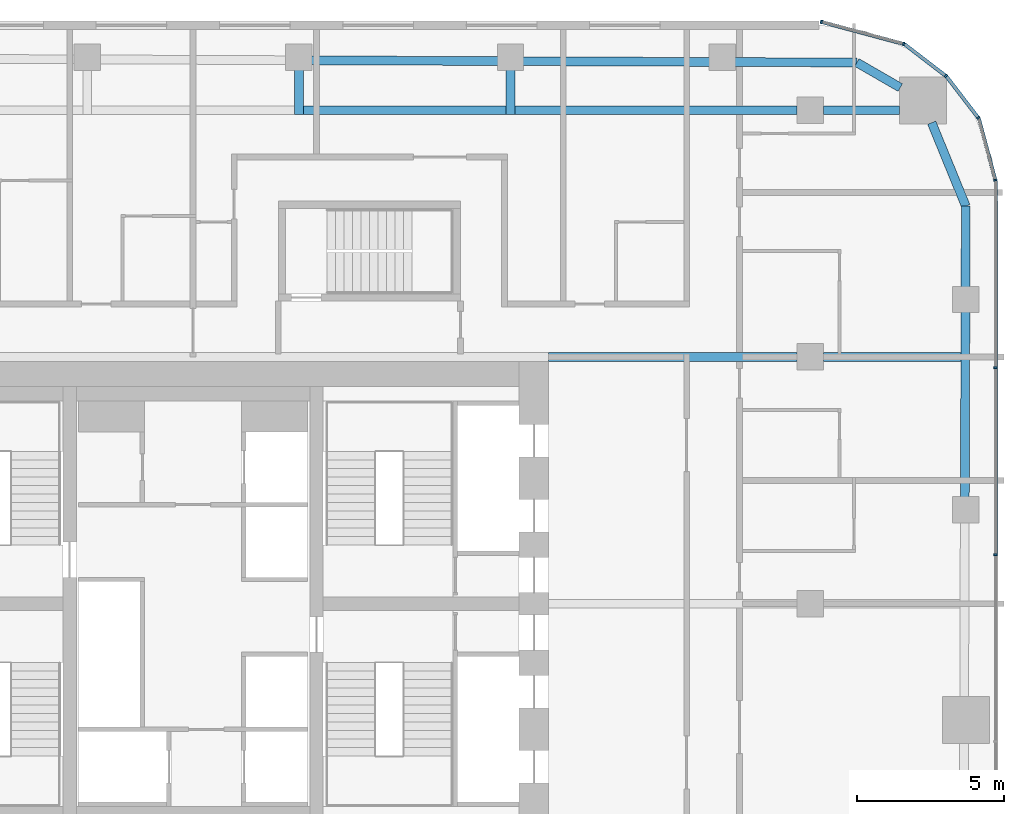
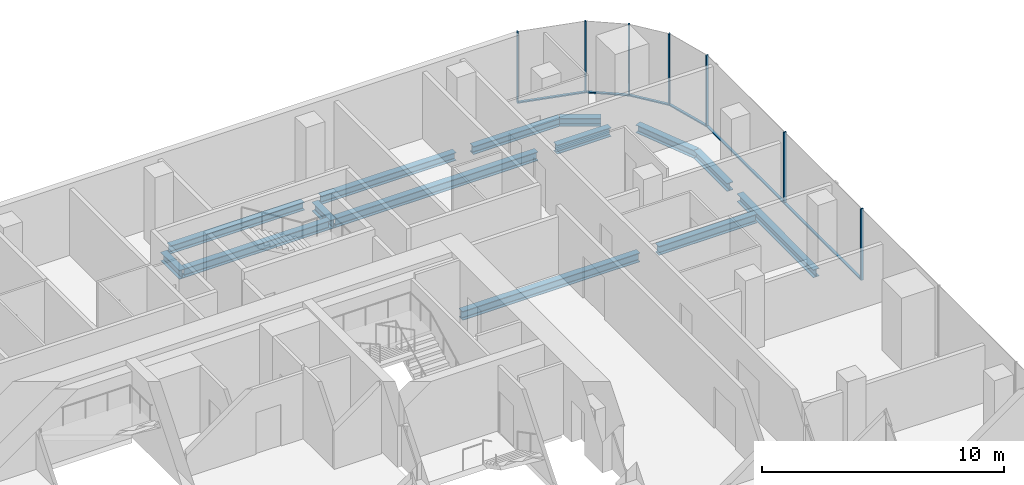
# One storey, part 11 of 23: 14 beams, 13 members, 5 elements without a shape of their own.
"""IFC4 building model written with IfcOpenShell, lengths in metres."""

from ifc_helpers import new_model, si_unit, direction, frame, origin, origin_2d, place, context, subcontext, project, spatial, rectangle, i_section, extrude, material, layer, layer_set, material_profile, profile_set, type_object, element, aggregate, save


model = new_model("IFC4")

# Units and contexts
model_context = context("Model", 3, precision=1e-05, world=origin(), true_north=direction((0.0, 1.0)))
body_context = subcontext(model_context, "Body", "Model", "MODEL_VIEW")
ifc_project = project(units=[si_unit("LENGTHUNIT", "METRE"), si_unit("AREAUNIT", "SQUARE_METRE"), si_unit("VOLUMEUNIT", "CUBIC_METRE"), si_unit("PLANEANGLEUNIT", "RADIAN"), si_unit("MASSUNIT", "GRAM", prefix="KILO")], contexts=[model_context])

# Site, building, storey
site_placement = place(None, origin())
site = spatial("IfcSite", under=ifc_project, at=site_placement, CompositionType="ELEMENT")
building_placement = place(site_placement, origin())
building = spatial("IfcBuilding", under=site, at=building_placement, Name="Marenta Gate Hotel Tower", CompositionType="ELEMENT")
storey_placement = place(building_placement, frame((0.0, 0.0, 112.10009765625)))
storey = spatial("IfcBuildingStorey", under=building, at=storey_placement, Name="L24", CompositionType="ELEMENT", Elevation=112.10009765625)

# Beams
ifc_material_1 = material(Name="Steel S355", Category="steel")
ifc_material_profile_1 = material_profile(ifc_material_1, i_section(OverallWidth=0.300048828125, OverallDepth=0.39990234375, WebThickness=0.013427734375, FlangeThickness=0.02392578125, FilletRadius=0.027099609375, at=origin_2d()), Name="HEB 400")
ifc_profile_set_1 = profile_set([ifc_material_profile_1], Name="Steel S355")
beam_type_1 = type_object("IfcBeamType", Name="Edge beam HEB 400", PredefinedType="SPANDREL", material=ifc_profile_set_1)
beam_1_placement = place(storey_placement, frame((4.011474609375, 26.89697265625, -0.460205078125), z_axis=(0.999991780119, -0.004054589324, 0.0), x_axis=(0.004054589324, 0.999991780119, 0.0)))
element("IfcBeam", 1, at=beam_1_placement, inside=storey, type_object=beam_type_1, Name="L24-EB-17", PredefinedType="SPANDREL", context=body_context, shape_type="SweptSolid", body=[
    extrude(i_section(OverallWidth=0.300048828125, OverallDepth=0.39990234375, WebThickness=0.013427734375, FlangeThickness=0.02392578125, FilletRadius=0.027099609375, at=origin_2d()), origin(), (0.0, 0.0, 1.0), 6.382568359375),
])
beam_2_placement = place(storey_placement, frame((11.214111328125, 26.86767578125, -0.460205078125), z_axis=(0.999991780748, -0.00405443424, 0.0), x_axis=(0.00405443424, 0.999991780748, 0.0)))
element("IfcBeam", 2, at=beam_2_placement, inside=storey, type_object=beam_type_1, Name="L24-EB-18", PredefinedType="SPANDREL", context=body_context, shape_type="SweptSolid", body=[
    extrude(i_section(OverallWidth=0.300048828125, OverallDepth=0.39990234375, WebThickness=0.013427734375, FlangeThickness=0.02392578125, FilletRadius=0.027099609375, at=origin_2d()), origin(), (0.0, 0.0, 1.0), 6.3828125),
])
beam_3_placement = place(storey_placement, frame((18.4169921875, 26.83837890625, -0.460205078125), z_axis=(0.999991621459, -0.004093532953, 0.0), x_axis=(0.004093532953, 0.999991621459, 0.0)))
element("IfcBeam", 3, at=beam_3_placement, inside=storey, type_object=beam_type_1, Name="L24-EB-19", PredefinedType="SPANDREL", context=body_context, shape_type="SweptSolid", body=[
    extrude(i_section(OverallWidth=0.300048828125, OverallDepth=0.39990234375, WebThickness=0.013427734375, FlangeThickness=0.02392578125, FilletRadius=0.027099609375, at=origin_2d()), origin(), (0.0, 0.0, 1.0), 4.1748046875),
])
beam_4_placement = place(storey_placement, frame((22.591796875, 26.8212890625, -0.460205078125), z_axis=(0.866016478054, -0.500015459501, 0.0), x_axis=(0.500015459501, 0.866016478054, 0.0)))
element("IfcBeam", 4, at=beam_4_placement, inside=storey, type_object=beam_type_1, Name="L24-EB-20", PredefinedType="SPANDREL", context=body_context, shape_type="SweptSolid", body=[
    extrude(i_section(OverallWidth=0.300048828125, OverallDepth=0.39990234375, WebThickness=0.013427734375, FlangeThickness=0.02392578125, FilletRadius=0.027099609375, at=origin_2d()), origin(), (0.0, 0.0, 1.0), 1.70703125),
])
beam_5_placement = place(storey_placement, frame((25.138916015625, 24.7724609375, -0.460205078125), z_axis=(0.378682450416, -0.925526661824, 0.0), x_axis=(0.925526661824, 0.378682450416, 0.0)))
element("IfcBeam", 5, at=beam_5_placement, inside=storey, type_object=beam_type_1, Name="L24-EB-21", PredefinedType="SPANDREL", context=body_context, shape_type="SweptSolid", body=[
    extrude(i_section(OverallWidth=0.300048828125, OverallDepth=0.39990234375, WebThickness=0.013427734375, FlangeThickness=0.02392578125, FilletRadius=0.027099609375, at=origin_2d()), origin(), (0.0, 0.0, 1.0), 3.066162109375),
])
beam_6_placement = place(storey_placement, frame((26.300048828125, 21.9345703125, -0.460205078125), z_axis=(-0.003351542298, -0.999994383566, 0.0), x_axis=(0.999994383566, -0.003351542298, 0.0)))
element("IfcBeam", 6, at=beam_6_placement, inside=storey, type_object=beam_type_1, Name="L24-EB-22", PredefinedType="SPANDREL", context=body_context, shape_type="SweptSolid", body=[
    extrude(i_section(OverallWidth=0.300048828125, OverallDepth=0.39990234375, WebThickness=0.013427734375, FlangeThickness=0.02392578125, FilletRadius=0.027099609375, at=origin_2d()), origin(), (0.0, 0.0, 1.0), 2.76806640625),
])
beam_7_placement = place(storey_placement, frame((26.2880859375, 18.346435546875, -0.460205078125), z_axis=(-0.00335374545, -0.99999437618, 0.0), x_axis=(0.99999437618, -0.00335374545, 0.0)))
element("IfcBeam", 7, at=beam_7_placement, inside=storey, type_object=beam_type_1, Name="L24-EB-23", PredefinedType="SPANDREL", context=body_context, shape_type="SweptSolid", body=[
    extrude(i_section(OverallWidth=0.300048828125, OverallDepth=0.39990234375, WebThickness=0.013427734375, FlangeThickness=0.02392578125, FilletRadius=0.027099609375, at=origin_2d()), origin(), (0.0, 0.0, 1.0), 6.333251953125),
])
ifc_material_2 = material(Name="Steel S355", Category="steel")
ifc_material_profile_2 = material_profile(ifc_material_2, i_section(OverallWidth=0.300048828125, OverallDepth=0.449951171875, WebThickness=0.013916015625, FlangeThickness=0.02587890625, FilletRadius=0.027099609375, at=origin_2d()), Name="HEB 450")
ifc_profile_set_2 = profile_set([ifc_material_profile_2], Name="Steel S355")
beam_type_2 = type_object("IfcBeamType", Name="Girder HEB 450", PredefinedType="BEAM", material=ifc_profile_set_2)
beam_8_placement = place(storey_placement, frame((12.10009765625, 16.800048828125, -0.485107421875), z_axis=(1.0, 0.0, 0.0), x_axis=(0.0, 1.0, 0.0)))
element("IfcBeam", 8, at=beam_8_placement, inside=storey, type_object=beam_type_2, Name="L24-GD-27", PredefinedType="BEAM", context=body_context, shape_type="SweptSolid", body=[
    extrude(i_section(OverallWidth=0.300048828125, OverallDepth=0.449951171875, WebThickness=0.013916015625, FlangeThickness=0.02587890625, FilletRadius=0.027099609375, at=origin_2d()), origin(), (0.0, 0.0, 1.0), 8.449951171875),
])
beam_9_placement = place(storey_placement, frame((21.449951171875, 16.800048828125, -0.485107421875), z_axis=(1.0, 0.0, 0.0), x_axis=(0.0, 1.0, 0.0)))
element("IfcBeam", 9, at=beam_9_placement, inside=storey, type_object=beam_type_2, Name="L24-GD-28", PredefinedType="BEAM", context=body_context, shape_type="SweptSolid", body=[
    extrude(i_section(OverallWidth=0.300048828125, OverallDepth=0.449951171875, WebThickness=0.013916015625, FlangeThickness=0.02587890625, FilletRadius=0.027099609375, at=origin_2d()), origin(), (0.0, 0.0, 1.0), 4.682861328125),
])
beam_10_placement = place(storey_placement, frame((3.75146484375, 25.199951171875, -0.485107421875), z_axis=(1.0, 0.0, 0.0), x_axis=(0.0, 1.0, 0.0)))
element("IfcBeam", 10, at=beam_10_placement, inside=storey, type_object=beam_type_2, Name="L24-GD-33", PredefinedType="BEAM", context=body_context, shape_type="SweptSolid", body=[
    extrude(i_section(OverallWidth=0.300048828125, OverallDepth=0.449951171875, WebThickness=0.013916015625, FlangeThickness=0.02587890625, FilletRadius=0.027099609375, at=origin_2d()), origin(), (0.0, 0.0, 1.0), 6.902587890625),
])
beam_11_placement = place(storey_placement, frame((10.9541015625, 25.199951171875, -0.485107421875), z_axis=(1.0, 0.0, 0.0), x_axis=(0.0, 1.0, 0.0)))
element("IfcBeam", 11, at=beam_11_placement, inside=storey, type_object=beam_type_2, Name="L24-GD-34", PredefinedType="BEAM", context=body_context, shape_type="SweptSolid", body=[
    extrude(i_section(OverallWidth=0.300048828125, OverallDepth=0.449951171875, WebThickness=0.013916015625, FlangeThickness=0.02587890625, FilletRadius=0.027099609375, at=origin_2d()), origin(), (0.0, 0.0, 1.0), 9.595947265625),
])
beam_12_placement = place(storey_placement, frame((21.449951171875, 25.199951171875, -0.485107421875), z_axis=(1.0, 0.0, 0.0), x_axis=(0.0, 1.0, 0.0)))
element("IfcBeam", 12, at=beam_12_placement, inside=storey, type_object=beam_type_2, Name="L24-GD-35", PredefinedType="BEAM", context=body_context, shape_type="SweptSolid", body=[
    extrude(i_section(OverallWidth=0.300048828125, OverallDepth=0.449951171875, WebThickness=0.013916015625, FlangeThickness=0.02587890625, FilletRadius=0.027099609375, at=origin_2d()), origin(), (0.0, 0.0, 1.0), 2.58544921875),
])
ifc_material_3 = material(Name="Steel S355", Category="steel")
ifc_material_profile_3 = material_profile(ifc_material_3, i_section(OverallWidth=0.300048828125, OverallDepth=0.449951171875, WebThickness=0.013916015625, FlangeThickness=0.02587890625, FilletRadius=0.027099609375, at=origin_2d()), Name="HEB 450")
ifc_profile_set_3 = profile_set([ifc_material_profile_3], Name="Steel S355")
beam_type_3 = type_object("IfcBeamType", Name="Girder bracket HEB 450", PredefinedType="BEAM", material=ifc_profile_set_3)
for number, where, z_axis, x_axis, name in (
    (13, (3.601318359375, 25.050048828125, -0.485107421875), (0.0, 1.0, 0.0), (-1.0, 0.0, 0.0), "L24-GS-3"),
    (14, (10.80419921875, 25.050048828125, -0.485107421875), (0.0, 1.0, 0.0), (-1.0, 0.0, 0.0), "L24-GS-4"),
):
    element("IfcBeam", number, at=place(storey_placement, frame(where, z_axis=z_axis, x_axis=x_axis)), inside=storey, type_object=beam_type_3, Name=name, PredefinedType="BEAM", context=body_context, shape_type="SweptSolid", body=[
        extrude(i_section(OverallWidth=0.300048828125, OverallDepth=0.449951171875, WebThickness=0.013916015625, FlangeThickness=0.02587890625, FilletRadius=0.027099609375, at=origin_2d()), origin(), (0.0, 0.0, 1.0), 1.5400390625),
    ])

# Curtain wall, members
ifc_material_4 = material(Name="Tinted insulated glass in bronze anodised frame", Category="glass")
ifc_layer = layer(ifc_material_4, 0.1201171875)
ifc_layer_set = layer_set([ifc_layer], Name="Tinted insulated glass in bronze anodised frame")
curtain_wall_type = type_object("IfcCurtainWallType", Name="Tower unitised curtain wall CW1", PredefinedType="NOTDEFINED", material=ifc_layer_set)
curtain_wall_1_placement = place(storey_placement, origin())
curtain_wall_1 = element("IfcCurtainWall", 15, at=curtain_wall_1_placement, inside=storey, type_object=curtain_wall_type, Name="CW1 run G11", PredefinedType="NOTDEFINED")
ifc_material_5 = material(Name="Bronze anodised aluminium", Category="aluminium")
ifc_material_profile_4 = material_profile(ifc_material_5, rectangle(XDim=0.1201171875, YDim=0.06005859375, at=origin_2d()), Name="Mullion CW1 60x120 bronze anodised aluminium")
ifc_profile_set_4 = profile_set([ifc_material_profile_4], Name="Bronze anodised aluminium")
member_type_1 = type_object("IfcMemberType", Name="Mullion CW1 60x120 bronze anodised aluminium", PredefinedType="MULLION", material=ifc_profile_set_4)
member_1_placement = place(storey_placement, frame((27.31396484375, 10.072021484375, 0.0), z_axis=(0.0, 0.0, 1.0), x_axis=(-1.0, 0.0, 0.0)))
member_1 = element("IfcMember", 16, at=member_1_placement, type_object=member_type_1, Name="CW1 mullion 5", PredefinedType="MULLION", context=body_context, shape_type="SweptSolid", body=[
    extrude(rectangle(XDim=0.1201171875, YDim=0.06005859375, at=origin_2d()), origin(), (0.0, 0.0, 1.0), 3.599853515625),
])
member_2_placement = place(storey_placement, frame((27.31396484375, 16.431884765625, 0.0), z_axis=(0.0, 0.0, 1.0), x_axis=(-1.0, 0.0, 0.0)))
member_2 = element("IfcMember", 17, at=member_2_placement, type_object=member_type_1, Name="CW1 mullion 6", PredefinedType="MULLION", context=body_context, shape_type="SweptSolid", body=[
    extrude(rectangle(XDim=0.1201171875, YDim=0.06005859375, at=origin_2d()), origin(), (0.0, 0.0, 1.0), 3.599853515625),
])

# Curtain wall, member
curtain_wall_2_placement = place(storey_placement, origin())
curtain_wall_2 = element("IfcCurtainWall", 18, at=curtain_wall_2_placement, inside=storey, type_object=curtain_wall_type, Name="CW1 run G12", PredefinedType="NOTDEFINED")
member_3_placement = place(storey_placement, frame((27.30615234375, 22.82080078125, 0.0), z_axis=(0.0, 0.0, 1.0), x_axis=(-0.965924859908, -0.258822651658, 0.0)))
member_3 = element("IfcMember", 19, at=member_3_placement, type_object=member_type_1, Name="CW1 mullion 1", PredefinedType="MULLION", context=body_context, shape_type="SweptSolid", body=[
    extrude(rectangle(XDim=0.1201171875, YDim=0.06005859375, at=origin_2d()), origin(), (0.0, 0.0, 1.0), 3.599853515625),
])

curtain_wall_3_placement = place(storey_placement, origin())
curtain_wall_3 = element("IfcCurtainWall", 20, at=curtain_wall_3_placement, inside=storey, type_object=curtain_wall_type, Name="CW1 run G13", PredefinedType="NOTDEFINED")
member_4_placement = place(storey_placement, frame((26.727783203125, 24.93505859375, 0.0), z_axis=(0.0, 0.0, 1.0), x_axis=(-0.793326722289, -0.608796116694, 0.0)))
member_4 = element("IfcMember", 21, at=member_4_placement, type_object=member_type_1, Name="CW1 mullion 1", PredefinedType="MULLION", context=body_context, shape_type="SweptSolid", body=[
    extrude(rectangle(XDim=0.1201171875, YDim=0.06005859375, at=origin_2d()), origin(), (0.0, 0.0, 1.0), 3.599853515625),
])

curtain_wall_4_placement = place(storey_placement, origin())
curtain_wall_4 = element("IfcCurtainWall", 22, at=curtain_wall_4_placement, inside=storey, type_object=curtain_wall_type, Name="CW1 run G14", PredefinedType="NOTDEFINED")
member_5_placement = place(storey_placement, frame((25.62158203125, 26.36376953125, 0.0), z_axis=(0.0, 0.0, 1.0), x_axis=(-0.608796116694, -0.793326722289, 0.0)))
member_5 = element("IfcMember", 23, at=member_5_placement, type_object=member_type_1, Name="CW1 mullion 1", PredefinedType="MULLION", context=body_context, shape_type="SweptSolid", body=[
    extrude(rectangle(XDim=0.1201171875, YDim=0.06005859375, at=origin_2d()), origin(), (0.0, 0.0, 1.0), 3.599853515625),
])

# Curtain wall, members
curtain_wall_5_placement = place(storey_placement, origin())
curtain_wall_5 = element("IfcCurtainWall", 24, at=curtain_wall_5_placement, inside=storey, type_object=curtain_wall_type, Name="CW1 run G15", PredefinedType="NOTDEFINED")
member_6_placement = place(storey_placement, frame((24.182373046875, 27.453857421875, 0.0), z_axis=(0.0, 0.0, 1.0), x_axis=(-0.258805989975, -0.965929324305, 0.0)))
member_6 = element("IfcMember", 25, at=member_6_placement, type_object=member_type_1, Name="CW1 mullion 1", PredefinedType="MULLION", context=body_context, shape_type="SweptSolid", body=[
    extrude(rectangle(XDim=0.1201171875, YDim=0.06005859375, at=origin_2d()), origin(), (0.0, 0.0, 1.0), 3.599853515625),
])
member_7_placement = place(storey_placement, frame((21.385498046875, 28.203125, 0.0), z_axis=(0.0, 0.0, 1.0), x_axis=(-0.258805989975, -0.965929324305, 0.0)))
member_7 = element("IfcMember", 26, at=member_7_placement, type_object=member_type_1, Name="CW1 mullion 2", PredefinedType="MULLION", context=body_context, shape_type="SweptSolid", body=[
    extrude(rectangle(XDim=0.1201171875, YDim=0.06005859375, at=origin_2d()), origin(), (0.0, 0.0, 1.0), 3.599853515625),
])

# Member
ifc_material_6 = material(Name="Bronze anodised aluminium", Category="aluminium")
ifc_material_profile_5 = material_profile(ifc_material_6, rectangle(XDim=0.1201171875, YDim=0.06005859375, at=origin_2d()), Name="Transom CW1 60x120 bronze anodised aluminium")
ifc_profile_set_5 = profile_set([ifc_material_profile_5], Name="Bronze anodised aluminium")
member_type_2 = type_object("IfcMemberType", Name="Transom CW1 60x120 bronze anodised aluminium", PredefinedType="USERDEFINED", material=ifc_profile_set_5)
member_8_placement = place(storey_placement, frame((27.31396484375, 10.10205078125, 0.02978515625), z_axis=(0.0, 1.0, 0.0), x_axis=(-1.0, 0.0, 0.0)))
member_8 = element("IfcMember", 27, at=member_8_placement, type_object=member_type_2, Name="CW1 transom 5.1", ObjectType="TRANSOM", PredefinedType="USERDEFINED", context=body_context, shape_type="SweptSolid", body=[
    extrude(rectangle(XDim=0.1201171875, YDim=0.06005859375, at=origin_2d()), origin(), (0.0, 0.0, 1.0), 6.2998046875),
])

member_9_placement = place(storey_placement, frame((27.31396484375, 16.4619140625, 0.02978515625), z_axis=(0.0, 1.0, 0.0), x_axis=(-1.0, 0.0, 0.0)))
member_9 = element("IfcMember", 28, at=member_9_placement, type_object=member_type_2, Name="CW1 transom 6.1", ObjectType="TRANSOM", PredefinedType="USERDEFINED", context=body_context, shape_type="SweptSolid", body=[
    extrude(rectangle(XDim=0.1201171875, YDim=0.06005859375, at=origin_2d()), origin(), (0.0, 0.0, 1.0), 6.330078125),
])

aggregate(curtain_wall_1, [member_1, member_2, member_8, member_9])

member_10_placement = place(storey_placement, frame((27.298583984375, 22.849853515625, 0.02978515625), z_axis=(-0.258865686882, 0.965913327455, 0.0), x_axis=(-0.965913327455, -0.258865686882, 0.0)))
member_10 = element("IfcMember", 29, at=member_10_placement, type_object=member_type_2, Name="CW1 transom 1.1", ObjectType="TRANSOM", PredefinedType="USERDEFINED", context=body_context, shape_type="SweptSolid", body=[
    extrude(rectangle(XDim=0.1201171875, YDim=0.06005859375, at=origin_2d()), origin(), (0.0, 0.0, 1.0), 2.13427734375),
])

aggregate(curtain_wall_2, [member_3, member_10])

member_11_placement = place(storey_placement, frame((26.70947265625, 24.958984375, 0.02978515625), z_axis=(-0.608792205599, 0.793329723634, 0.0), x_axis=(-0.793329723634, -0.608792205599, 0.0)))
member_11 = element("IfcMember", 30, at=member_11_placement, type_object=member_type_2, Name="CW1 transom 1.1", ObjectType="TRANSOM", PredefinedType="USERDEFINED", context=body_context, shape_type="SweptSolid", body=[
    extrude(rectangle(XDim=0.1201171875, YDim=0.06005859375, at=origin_2d()), origin(), (0.0, 0.0, 1.0), 1.74755859375),
])

aggregate(curtain_wall_3, [member_4, member_11])

member_12_placement = place(storey_placement, frame((25.597900390625, 26.382080078125, 0.02978515625), z_axis=(-0.793381490019, 0.608724741814, 0.0), x_axis=(-0.608724741814, -0.793381490019, 0.0)))
member_12 = element("IfcMember", 31, at=member_12_placement, type_object=member_type_2, Name="CW1 transom 1.1", ObjectType="TRANSOM", PredefinedType="USERDEFINED", context=body_context, shape_type="SweptSolid", body=[
    extrude(rectangle(XDim=0.1201171875, YDim=0.06005859375, at=origin_2d()), origin(), (0.0, 0.0, 1.0), 1.747802734375),
])

aggregate(curtain_wall_4, [member_5, member_12])

member_13_placement = place(storey_placement, frame((24.1533203125, 27.461669921875, 0.02978515625), z_axis=(-0.965922684272, 0.258830770986, 0.0), x_axis=(-0.258830770986, -0.965922684272, 0.0)))
member_13 = element("IfcMember", 32, at=member_13_placement, type_object=member_type_2, Name="CW1 transom 1.1", ObjectType="TRANSOM", PredefinedType="USERDEFINED", context=body_context, shape_type="SweptSolid", body=[
    extrude(rectangle(XDim=0.1201171875, YDim=0.06005859375, at=origin_2d()), origin(), (0.0, 0.0, 1.0), 2.83544921875),
])

aggregate(curtain_wall_5, [member_6, member_7, member_13])

save(model, "model.ifc")
